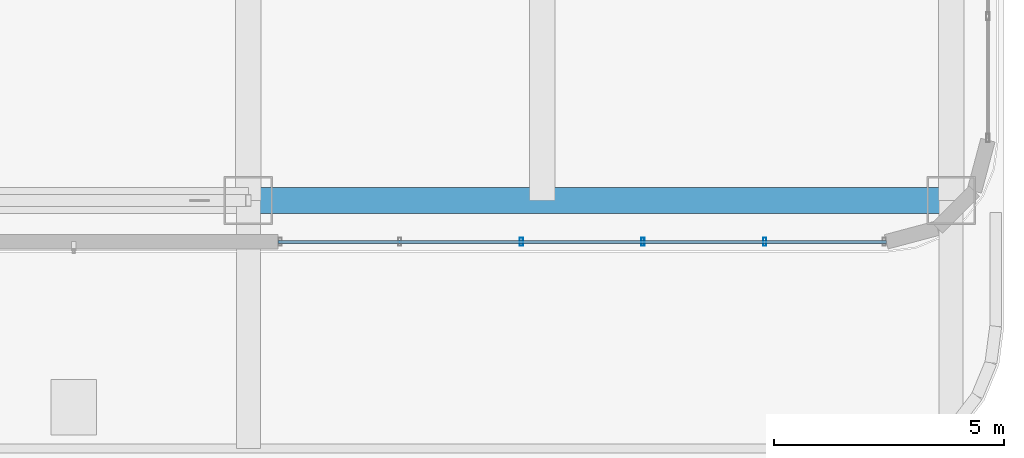
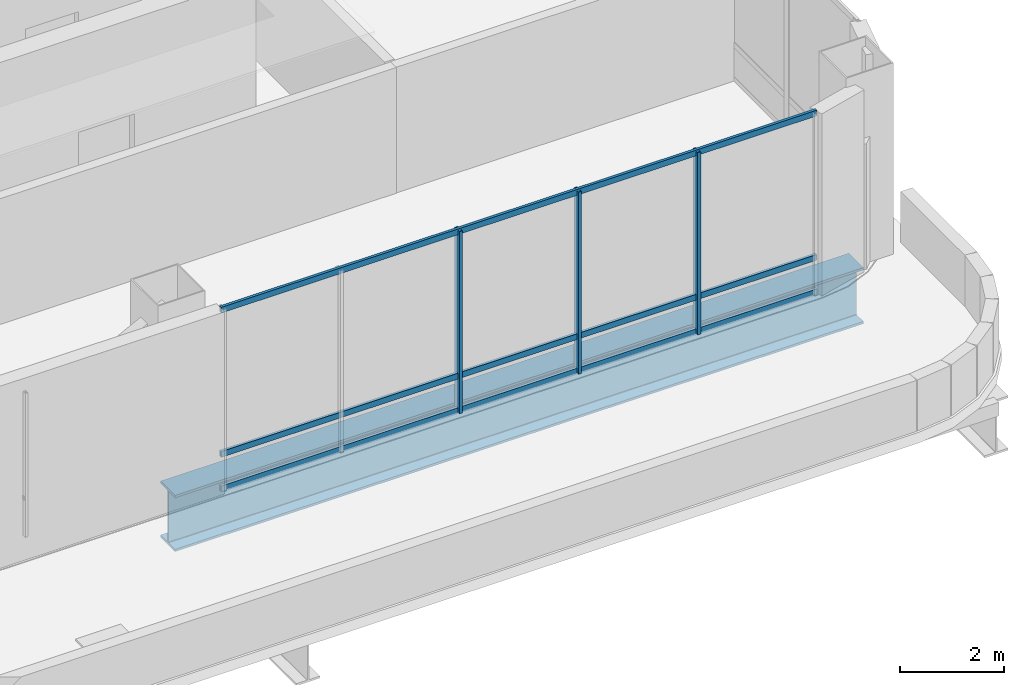
# One storey, part 12 of 33: 6 members, 1 beam, 1 element without a shape of its own.
"""IFC4 building model written with IfcOpenShell, lengths in metres."""

import ifcopenshell
import ifcopenshell.guid

model = None  # the IFC model being written
_history = None  # IfcOwnerHistory: only IFC2X3 demands one
_inside = {}  # id of a spatial element -> (the spatial element, [elements in it])
_under = {}  # id of a project, library or spatial element -> (it, [spatial elements below it])
_declared = {}  # id of a project -> (the project, [libraries it declares])
_typed = {}  # id of a type object -> (the type object, [elements of that type])
_made_of = {}  # id of a material, layer set ... -> (it, [elements and type objects made of it])


def new_model(schema):
    """Start an empty IFC model of exactly this schema.

    Asked for "IFC4X3", IfcOpenShell would pick the latest addendum, in which some entities
    have other attributes; the version numbers below select the first issue.
    IFC2X3 requires an IfcOwnerHistory on every rooted entity: one is made here for all.
    """
    global model, _history
    if schema == "IFC4X3":
        model = ifcopenshell.file(schema_version=(4, 3, 0, 0))
    else:
        model = ifcopenshell.file(schema=schema)
    _inside.clear()
    _under.clear()
    _declared.clear()
    _typed.clear()
    _made_of.clear()
    _history = None
    if model.schema == "IFC2X3":
        org = make("IfcOrganization", Name="unknown")
        user = make(
            "IfcPersonAndOrganization",
            ThePerson=make("IfcPerson", FamilyName="unknown"),
            TheOrganization=org,
        )
        app = make(
            "IfcApplication",
            ApplicationDeveloper=org,
            Version="unknown",
            ApplicationFullName="unknown",
            ApplicationIdentifier="unknown",
        )
        _history = make(
            "IfcOwnerHistory",
            OwningUser=user,
            OwningApplication=app,
            ChangeAction="ADDED",
            CreationDate=0,
        )
    return model


def make(cls, **values):
    """One entity of the class cls with the attributes given. An attribute that is None is left unset."""
    return model.create_entity(
        cls, **{name: value for name, value in values.items() if value is not None}
    )


def rooted(cls, **values):
    """An entity with a GlobalId (a new one), such as an element, a storey or a relation."""
    return make(cls, GlobalId=ifcopenshell.guid.new(), OwnerHistory=_history, **values)


def si_unit(unit_type, name, prefix=None):
    """IfcSIUnit, for example si_unit("LENGTHUNIT", "METRE", prefix="MILLI")."""
    return make("IfcSIUnit", UnitType=unit_type, Prefix=prefix, Name=name)


def assignment(units):
    """IfcUnitAssignment: the units of a project."""
    return None if units is None else make("IfcUnitAssignment", Units=units)


def point(xyz):
    """IfcCartesianPoint."""
    return None if xyz is None else make("IfcCartesianPoint", Coordinates=xyz)


def direction(xyz):
    """IfcDirection."""
    return None if xyz is None else make("IfcDirection", DirectionRatios=xyz)


def frame(location, z_axis=None, x_axis=None):
    """IfcAxis2Placement3D, a coordinate frame: its origin and axes. An axis left out is left unset."""
    return make(
        "IfcAxis2Placement3D",
        Location=point(location),
        Axis=direction(z_axis),
        RefDirection=direction(x_axis),
    )


def frame_2d(location, x_axis=None):
    """IfcAxis2Placement2D, a coordinate frame in the plane: its origin and x axis."""
    return make(
        "IfcAxis2Placement2D", Location=point(location), RefDirection=direction(x_axis)
    )


def origin():
    """The frame at (0, 0, 0) with its axes left unset."""
    return frame((0.0, 0.0, 0.0))


def origin_2d():
    """The frame at (0, 0) in the plane with its x axis left unset."""
    return frame_2d((0.0, 0.0))


def place(relative_to, where):
    """IfcLocalPlacement: puts the frame where relative to a parent placement (None: the world)."""
    return make(
        "IfcLocalPlacement", PlacementRelTo=relative_to, RelativePlacement=where
    )


def context(
    kind, dimensions, precision=None, world=None, true_north=None, identifier=None
):
    """IfcGeometricRepresentationContext, for example the 3D "Model" context."""
    return make(
        "IfcGeometricRepresentationContext",
        ContextIdentifier=identifier,
        ContextType=kind,
        CoordinateSpaceDimension=dimensions,
        Precision=precision,
        WorldCoordinateSystem=world,
        TrueNorth=true_north,
    )


def subcontext(parent, identifier, kind, view, scale=None):
    """IfcGeometricRepresentationSubContext, for example "Body" below "Model"."""
    return make(
        "IfcGeometricRepresentationSubContext",
        ContextIdentifier=identifier,
        ContextType=kind,
        ParentContext=parent,
        TargetScale=scale,
        TargetView=view,
    )


def project(units=None, contexts=None):
    """IfcProject with its units and contexts."""
    return rooted(
        "IfcProject",
        Name="project",
        RepresentationContexts=contexts,
        UnitsInContext=assignment(units),
    )


def spatial(cls, under=None, at=None, **own):
    """A site, building, storey or space (cls), placed at a placement, below another one or the project."""
    s = rooted(cls, ObjectPlacement=at, **own)
    if under is not None:
        _under.setdefault(under.id(), (under, []))[1].append(s)
    return s


def profile(cls, at=None, kind="AREA", **sizes):
    """A parametric profile (cls). Its sizes go by their IFC names, for example OverallWidth=200.0."""
    return make(cls, ProfileType=kind, Position=at, **sizes)


def hollow_rectangle(**sizes):
    """IfcRectangleHollowProfileDef."""
    return profile("IfcRectangleHollowProfileDef", **sizes)


def i_section(**sizes):
    """IfcIShapeProfileDef."""
    return profile("IfcIShapeProfileDef", **sizes)


def extrude(swept, where, along, depth):
    """IfcExtrudedAreaSolid: the profile swept, set in the frame where, extruded along a direction by depth."""
    return make(
        "IfcExtrudedAreaSolid",
        SweptArea=swept,
        Position=where,
        ExtrudedDirection=direction(along),
        Depth=depth,
    )


def shape(context_of_items, identifier, shape_type, items):
    """IfcShapeRepresentation: the items that make up one representation, for example the "Body"."""
    return make(
        "IfcShapeRepresentation",
        ContextOfItems=context_of_items,
        RepresentationIdentifier=identifier,
        RepresentationType=shape_type,
        Items=items,
    )


def material(Name=None, Category=None):
    """IfcMaterial."""
    return make("IfcMaterial", Name=Name, Category=Category)


def material_profile(
    of_material, cross_section, Name=None, Category=None, Priority=None
):
    """IfcMaterialProfile: a cross section and its material."""
    return make(
        "IfcMaterialProfile",
        Name=Name,
        Material=of_material,
        Profile=cross_section,
        Priority=Priority,
        Category=Category,
    )


def profile_set(profiles, Name=None, composite=None):
    """IfcMaterialProfileSet."""
    return make(
        "IfcMaterialProfileSet",
        Name=Name,
        MaterialProfiles=profiles,
        CompositeProfile=composite,
    )


def made_of(thing, what):
    """Note that an element or type object is made of a material, layer set ...; save() writes the relation."""
    if what is not None:
        _made_of.setdefault(what.id(), (what, []))[1].append(thing)
    return thing


def type_object(cls, material=None, **own):
    """A type object (cls), such as IfcWallType, which elements share."""
    return made_of(rooted(cls, **own), material)


def element(
    cls,
    number,
    at=None,
    inside=None,
    cuts=None,
    type_object=None,
    material=None,
    context=None,
    identifier="Body",
    shape_type=None,
    held_by="IfcProductDefinitionShape",
    body=None,
    shapes=None,
    **own,
):
    """One element of the class cls, such as IfcWall. Its Tag is "e" and its number.

    at: its placement. inside: the storey or other place that contains it. cuts: it is an
    opening in that element (IfcRelVoidsElement). A single representation is given by context,
    identifier, shape_type and body (its items); several are given by shapes. held_by: the class
    of the entity that holds the representations. save() writes the other relations.
    """
    e = rooted(cls, Tag="e%d" % number, ObjectPlacement=at, **own)
    if body is not None:
        shapes = [shape(context, identifier, shape_type, body)]
    if shapes is not None:
        e.Representation = make(held_by, Representations=shapes)
    if inside is not None:
        _inside.setdefault(inside.id(), (inside, []))[1].append(e)
    if cuts is not None:
        rooted(
            "IfcRelVoidsElement", RelatingBuildingElement=cuts, RelatedOpeningElement=e
        )
    if type_object is not None:
        _typed.setdefault(type_object.id(), (type_object, []))[1].append(e)
    return made_of(e, material)


def aggregate(whole, parts):
    """IfcRelAggregates: a whole, such as a stair, and the parts it consists of."""
    return rooted("IfcRelAggregates", RelatingObject=whole, RelatedObjects=parts)


def save(model, path):
    """Write the relations noted so far, then the file.

    IfcRelAggregates (storeys below a building ...), IfcRelContainedInSpatialStructure (elements
    in a storey), IfcRelDefinesByType, IfcRelAssociatesMaterial and IfcRelDeclares: one each for
    every whole, place, type object, material and project.
    """
    for whole, parts in _under.values():
        aggregate(whole, parts)
    for where, things in _inside.values():
        rooted(
            "IfcRelContainedInSpatialStructure",
            RelatedElements=things,
            RelatingStructure=where,
        )
    for kind, things in _typed.values():
        rooted("IfcRelDefinesByType", RelatedObjects=things, RelatingType=kind)
    for what, things in _made_of.values():
        rooted("IfcRelAssociatesMaterial", RelatedObjects=things, RelatingMaterial=what)
    for by, libraries in _declared.values():
        rooted("IfcRelDeclares", RelatingContext=by, RelatedDefinitions=libraries)
    model.write(path)


model = new_model("IFC4")

# Units and contexts
model_context = context("Model", 3, precision=1e-05, world=origin(), true_north=direction((0.0, 1.0)))
body_context = subcontext(model_context, "Body", "Model", "MODEL_VIEW")
ifc_project = project(units=[si_unit("LENGTHUNIT", "METRE"), si_unit("AREAUNIT", "SQUARE_METRE"), si_unit("VOLUMEUNIT", "CUBIC_METRE"), si_unit("PLANEANGLEUNIT", "RADIAN"), si_unit("MASSUNIT", "GRAM", prefix="KILO")], contexts=[model_context])

# Site, building, storey
site_placement = place(None, origin())
site = spatial("IfcSite", under=ifc_project, at=site_placement, CompositionType="ELEMENT")
building_placement = place(site_placement, origin())
building = spatial("IfcBuilding", under=site, at=building_placement, Name="Punatoya Terracotta Tower", CompositionType="ELEMENT")
storey_placement = place(building_placement, frame((0.0, 0.0, 343.800048828125)))
storey = spatial("IfcBuildingStorey", under=building, at=storey_placement, Name="L81", CompositionType="ELEMENT", Elevation=343.800048828125)

# Beam
ifc_material_1 = material(Name="Steel S460", Category="steel")
ifc_material_profile_1 = material_profile(ifc_material_1, i_section(OverallWidth=0.56005859375, OverallDepth=1.320068359375, WebThickness=0.035888671875, FlangeThickness=0.054931640625, FilletRadius=0.01806640625, at=origin_2d()))
ifc_profile_set_1 = profile_set([ifc_material_profile_1], Name="Steel S460")
beam_type = type_object("IfcBeamType", Name="BM-TG-BLK", PredefinedType="BEAM", material=ifc_profile_set_1)
beam_placement = place(storey_placement, frame((3.800048828125, -17.5, -0.93994140625), z_axis=(1.0, 0.0, 0.0), x_axis=(0.0, 1.0, 0.0)))
element("IfcBeam", 1, at=beam_placement, inside=storey, type_object=beam_type, Name="BM-L81-RG-S3", PredefinedType="BEAM", context=body_context, shape_type="SweptSolid", body=[
    extrude(i_section(OverallWidth=0.56005859375, OverallDepth=1.320068359375, WebThickness=0.035888671875, FlangeThickness=0.054931640625, FilletRadius=0.01806640625, at=origin_2d()), origin(), (0.0, 0.0, 1.0), 15.300048828125),
])

# Curtain wall, members
ifc_material_2 = material(Name="Aluminium 6063-T6 + Double Low-E Glass", Category="aluminium")
curtain_wall_type = type_object("IfcCurtainWallType", Name="CW-CRN", PredefinedType="NOTDEFINED", material=ifc_material_2)
curtain_wall_placement = place(storey_placement, origin())
curtain_wall = element("IfcCurtainWall", 2, at=curtain_wall_placement, inside=storey, type_object=curtain_wall_type, Name="L81 Curtain Wall CW-L81-S01-2", PredefinedType="NOTDEFINED")
ifc_material_3 = material(Name="Aluminium 6063-T6", Category="aluminium")
ifc_material_profile_2 = material_profile(ifc_material_3, hollow_rectangle(XDim=0.070068359375, YDim=0.179931640625, WallThickness=0.00390625, at=origin_2d()))
ifc_profile_set_2 = profile_set([ifc_material_profile_2], Name="Aluminium 6063-T6")
member_type_1 = type_object("IfcMemberType", Name="CW-MUL-M3", PredefinedType="MULLION", material=ifc_profile_set_2)
member_1_placement = place(storey_placement, frame((9.744873046875, -18.39990234375, 0.0), z_axis=(0.0, 0.0, 1.0), x_axis=(1.0, 0.0, 0.0)))
member_1 = element("IfcMember", 3, at=member_1_placement, type_object=member_type_1, Name="CW-L81-S01-2 Mullion 02", PredefinedType="MULLION", context=body_context, shape_type="SweptSolid", body=[
    extrude(hollow_rectangle(XDim=0.070068359375, YDim=0.179931640625, WallThickness=0.00390625, at=origin_2d()), origin(), (0.0, 0.0, 1.0), 4.280029296875),
])
member_2_placement = place(storey_placement, frame((12.39208984375, -18.39990234375, 0.0), z_axis=(0.0, 0.0, 1.0), x_axis=(1.0, 0.0, 0.0)))
member_2 = element("IfcMember", 4, at=member_2_placement, type_object=member_type_1, Name="CW-L81-S01-2 Mullion 03", PredefinedType="MULLION", context=body_context, shape_type="SweptSolid", body=[
    extrude(hollow_rectangle(XDim=0.070068359375, YDim=0.179931640625, WallThickness=0.00390625, at=origin_2d()), origin(), (0.0, 0.0, 1.0), 4.280029296875),
])
member_3_placement = place(storey_placement, frame((15.03955078125, -18.39990234375, 0.0), z_axis=(0.0, 0.0, 1.0), x_axis=(1.0, 0.0, 0.0)))
member_3 = element("IfcMember", 5, at=member_3_placement, type_object=member_type_1, Name="CW-L81-S01-2 Mullion 04", PredefinedType="MULLION", context=body_context, shape_type="SweptSolid", body=[
    extrude(hollow_rectangle(XDim=0.070068359375, YDim=0.179931640625, WallThickness=0.00390625, at=origin_2d()), origin(), (0.0, 0.0, 1.0), 4.280029296875),
])
ifc_material_profile_3 = material_profile(ifc_material_3, hollow_rectangle(XDim=0.06201171875, YDim=0.135009765625, WallThickness=0.00390625, at=origin_2d()))
ifc_profile_set_3 = profile_set([ifc_material_profile_3], Name="Aluminium 6063-T6")
member_type_2 = type_object("IfcMemberType", Name="CW-TRN-CRN", PredefinedType="USERDEFINED", material=ifc_profile_set_3)
member_4_placement = place(storey_placement, frame((4.449951171875, -18.39990234375, 0.0400390625), z_axis=(1.0, 0.0, 0.0), x_axis=(0.0, 1.0, 0.0)))
member_4 = element("IfcMember", 6, at=member_4_placement, type_object=member_type_2, Name="CW-L81-S01-2 Transom 1", ObjectType="TRANSOM", PredefinedType="USERDEFINED", context=body_context, shape_type="SweptSolid", body=[
    extrude(hollow_rectangle(XDim=0.06201171875, YDim=0.135009765625, WallThickness=0.00390625, at=origin_2d()), origin(), (0.0, 0.0, 1.0), 13.237060546875),
])
member_5_placement = place(storey_placement, frame((4.449951171875, -18.39990234375, 0.849853515625), z_axis=(1.0, 0.0, 0.0), x_axis=(0.0, 1.0, 0.0)))
member_5 = element("IfcMember", 7, at=member_5_placement, type_object=member_type_2, Name="CW-L81-S01-2 Transom 2", ObjectType="TRANSOM", PredefinedType="USERDEFINED", context=body_context, shape_type="SweptSolid", body=[
    extrude(hollow_rectangle(XDim=0.06201171875, YDim=0.135009765625, WallThickness=0.00390625, at=origin_2d()), origin(), (0.0, 0.0, 1.0), 13.237060546875),
])
member_6_placement = place(storey_placement, frame((4.449951171875, -18.39990234375, 4.239990234375), z_axis=(1.0, 0.0, 0.0), x_axis=(0.0, 1.0, 0.0)))
member_6 = element("IfcMember", 8, at=member_6_placement, type_object=member_type_2, Name="CW-L81-S01-2 Transom 3", ObjectType="TRANSOM", PredefinedType="USERDEFINED", context=body_context, shape_type="SweptSolid", body=[
    extrude(hollow_rectangle(XDim=0.06201171875, YDim=0.135009765625, WallThickness=0.00390625, at=origin_2d()), origin(), (0.0, 0.0, 1.0), 13.237060546875),
])
aggregate(curtain_wall, [member_1, member_2, member_3, member_4, member_5, member_6])

save(model, "model.ifc")
